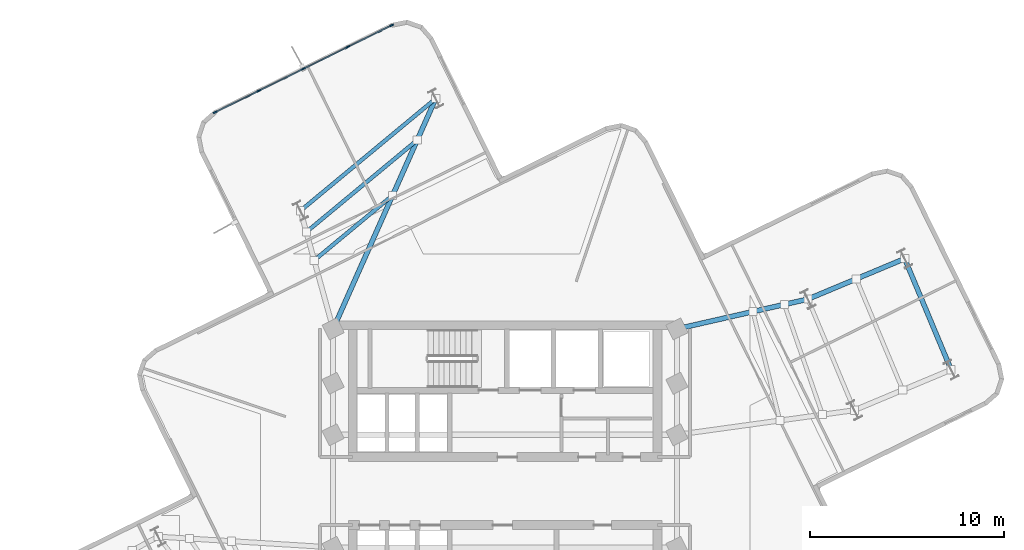
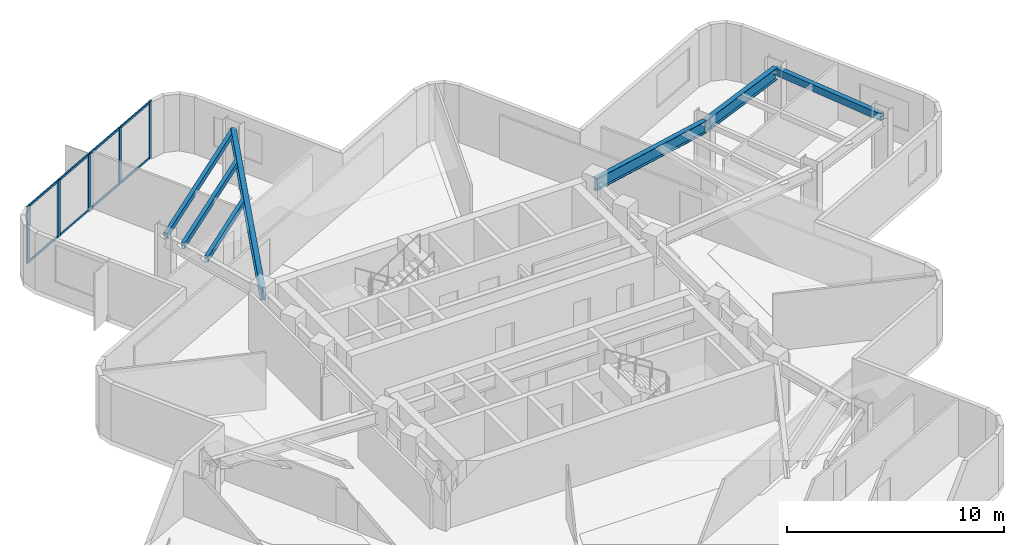
# One storey, part 4 of 11: 13 members, 7 beams, 1 element without a shape of its own.
"""IFC4 building model written with IfcOpenShell, lengths in metres."""

from ifc_helpers import new_model, si_unit, direction, frame, origin, origin_2d, place, context, subcontext, project, spatial, rectangle, hollow_rectangle, i_section, extrude, material, layer, layer_set, material_profile, profile_set, type_object, element, aggregate, save


model = new_model("IFC4")

# Units and contexts
model_context = context("Model", 3, precision=1e-05, world=origin(), true_north=direction((0.0, 1.0)))
body_context = subcontext(model_context, "Body", "Model", "MODEL_VIEW")
ifc_project = project(units=[si_unit("LENGTHUNIT", "METRE"), si_unit("AREAUNIT", "SQUARE_METRE"), si_unit("VOLUMEUNIT", "CUBIC_METRE"), si_unit("PLANEANGLEUNIT", "RADIAN"), si_unit("MASSUNIT", "GRAM", prefix="KILO")], contexts=[model_context])

# Site, building, storey
site_placement = place(None, origin())
site = spatial("IfcSite", under=ifc_project, at=site_placement, CompositionType="ELEMENT")
building_placement = place(site_placement, origin())
building = spatial("IfcBuilding", under=site, at=building_placement, Name="Solmarez Civic Tower", CompositionType="ELEMENT")
storey_placement = place(building_placement, frame((0.0, 0.0, 192.60009765625)))
storey = spatial("IfcBuildingStorey", under=building, at=storey_placement, Name="L51", CompositionType="ELEMENT", Elevation=192.60009765625)

# Beams
ifc_material_1 = material(Name="Steel S355", Category="steel")
ifc_material_profile_1 = material_profile(ifc_material_1, hollow_rectangle(XDim=0.199951171875, YDim=0.300048828125, WallThickness=0.011962890625, at=origin_2d()), Name="HSS300X200X12")
ifc_profile_set_1 = profile_set([ifc_material_profile_1], Name="Steel S355")
beam_type_1 = type_object("IfcBeamType", Name="BM-JS-HSS300X200", PredefinedType="JOIST", material=ifc_profile_set_1)
beam_1_placement = place(storey_placement, frame((-3.570068359375, 20.20703125, 3.0498046875), z_axis=(-0.769767664309, -0.638324167633, 0.0), x_axis=(0.638324167633, -0.769767664309, 0.0)))
element("IfcBeam", 1, at=beam_1_placement, inside=storey, type_object=beam_type_1, Name="L51 Secondary Floor Joist BM-L51-NA-T1", PredefinedType="JOIST", context=body_context, shape_type="SweptSolid", body=[
    extrude(hollow_rectangle(XDim=0.199951171875, YDim=0.300048828125, WallThickness=0.011962890625, at=origin_2d()), origin(), (0.0, 0.0, 1.0), 9.04541015625),
])
beam_2_placement = place(storey_placement, frame((-5.7880859375, 15.22705078125, 3.0498046875), z_axis=(-0.76969549019, -0.63841119381, 0.0), x_axis=(0.63841119381, -0.76969549019, 0.0)))
element("IfcBeam", 2, at=beam_2_placement, inside=storey, type_object=beam_type_1, Name="L51 Secondary Floor Joist JS-L51-NA-M11", PredefinedType="JOIST", context=body_context, shape_type="SweptSolid", body=[
    extrude(hollow_rectangle(XDim=0.199951171875, YDim=0.300048828125, WallThickness=0.011962890625, at=origin_2d()), origin(), (0.0, 0.0, 1.0), 5.24609375),
])
beam_3_placement = place(storey_placement, frame((-4.52001953125, 18.072998046875, 3.0498046875), z_axis=(-0.769756777075, -0.638337296535, 0.0), x_axis=(0.638337296535, -0.769756777075, 0.0)))
element("IfcBeam", 3, at=beam_3_placement, inside=storey, type_object=beam_type_1, Name="L51 Secondary Floor Joist JS-L51-NA-M12", PredefinedType="JOIST", context=body_context, shape_type="SweptSolid", body=[
    extrude(hollow_rectangle(XDim=0.199951171875, YDim=0.300048828125, WallThickness=0.011962890625, at=origin_2d()), origin(), (0.0, 0.0, 1.0), 7.41796875),
])
ifc_material_profile_2 = material_profile(ifc_material_1, i_section(OverallWidth=0.25390625, OverallDepth=0.68798828125, WebThickness=0.01318359375, FlangeThickness=0.02099609375, at=origin_2d()), Name="W27X102")
ifc_profile_set_2 = profile_set([ifc_material_profile_2], Name="Steel S355")
beam_type_2 = type_object("IfcBeamType", Name="BM-PR-W27X102", PredefinedType="BEAM", material=ifc_profile_set_2)
beam_4_placement = place(storey_placement, frame((8.85009765625, 8.35009765625, 2.85595703125), z_axis=(0.975124879448, 0.221656196577, 0.0), x_axis=(-0.221656196577, 0.975124879448, 0.0)))
element("IfcBeam", 4, at=beam_4_placement, inside=storey, type_object=beam_type_2, Name="L51 Primary Floor Beam BM-L51-EA-R1B", PredefinedType="BEAM", context=body_context, shape_type="SweptSolid", body=[
    extrude(i_section(OverallWidth=0.25390625, OverallDepth=0.68798828125, WebThickness=0.01318359375, FlangeThickness=0.02099609375, at=origin_2d()), origin(), (0.0, 0.0, 1.0), 6.916015625),
])
beam_5_placement = place(storey_placement, frame((15.593994140625, 9.883056640625, 2.85595703125), z_axis=(0.922538326171, 0.385905476438, 0.0), x_axis=(-0.385905476438, 0.922538326171, 0.0)))
element("IfcBeam", 5, at=beam_5_placement, inside=storey, type_object=beam_type_2, Name="L51 Primary Floor Beam BM-L51-EA-R2B", PredefinedType="BEAM", context=body_context, shape_type="SweptSolid", body=[
    extrude(i_section(OverallWidth=0.25390625, OverallDepth=0.68798828125, WebThickness=0.01318359375, FlangeThickness=0.02099609375, at=origin_2d()), origin(), (0.0, 0.0, 1.0), 5.400146484375),
])
beam_6_placement = place(storey_placement, frame((-8.85009765625, 8.35009765625, 2.85595703125), z_axis=(0.406799805731, 0.9135173332, 0.0), x_axis=(-0.9135173332, 0.406799805731, 0.0)))
element("IfcBeam", 6, at=beam_6_placement, inside=storey, type_object=beam_type_2, Name="L51 Primary Floor Beam BM-L51-NA-R1A", PredefinedType="BEAM", context=body_context, shape_type="SweptSolid", body=[
    extrude(i_section(OverallWidth=0.25390625, OverallDepth=0.68798828125, WebThickness=0.01318359375, FlangeThickness=0.02099609375, at=origin_2d()), origin(), (0.0, 0.0, 1.0), 12.9794921875),
])
ifc_material_profile_3 = material_profile(ifc_material_1, hollow_rectangle(XDim=0.25, YDim=0.39990234375, WallThickness=0.01611328125, at=origin_2d()), Name="HSS400X250X16")
ifc_profile_set_3 = profile_set([ifc_material_profile_3], Name="Steel S355")
beam_type_3 = type_object("IfcBeamType", Name="BM-SP-HSS400X250", PredefinedType="SPANDREL", material=ifc_profile_set_3)
beam_7_placement = place(storey_placement, frame((22.968017578125, 6.248046875, 3.0), z_axis=(-0.385876218946, 0.922550564279, 0.0), x_axis=(-0.922550564279, -0.385876218946, 0.0)))
element("IfcBeam", 7, at=beam_7_placement, inside=storey, type_object=beam_type_3, Name="L51 Perimeter Spandrel Beam BM-L51-EA-T2", PredefinedType="SPANDREL", context=body_context, shape_type="SweptSolid", body=[
    extrude(hollow_rectangle(XDim=0.25, YDim=0.39990234375, WallThickness=0.01611328125, at=origin_2d()), origin(), (0.0, 0.0, 1.0), 6.19921875),
])

# Curtain wall, members
ifc_material_2 = material(Name="Bronze Anodised Aluminium EN AW-6063 T6", Category="aluminium")
ifc_layer = layer(ifc_material_2, 0.2099609375)
ifc_layer_set = layer_set([ifc_layer], Name="Bronze Anodised Aluminium EN AW-6063 T6")
curtain_wall_type = type_object("IfcCurtainWallType", Name="CW-SYS-5", PredefinedType="NOTDEFINED", material=ifc_layer_set)
curtain_wall_placement = place(storey_placement, origin())
curtain_wall = element("IfcCurtainWall", 8, at=curtain_wall_placement, inside=storey, type_object=curtain_wall_type, Name="L51 Stick-Built Curtain Wall 2", PredefinedType="NOTDEFINED")
ifc_material_profile_4 = material_profile(ifc_material_2, rectangle(XDim=0.074951171875, YDim=0.199951171875, at=origin_2d()), Name="CWM-75X200")
ifc_profile_set_4 = profile_set([ifc_material_profile_4], Name="Bronze Anodised Aluminium EN AW-6063 T6")
member_type_1 = type_object("IfcMemberType", Name="CWM-TYPE-1", PredefinedType="MULLION", material=ifc_profile_set_4)
member_1_placement = place(storey_placement, frame((-14.931396484375, 19.49755859375, 0.0), z_axis=(0.0, 0.0, 1.0), x_axis=(-0.442157712652, 0.896937320632, 0.0)))
member_1 = element("IfcMember", 9, at=member_1_placement, type_object=member_type_1, Name="CWS5 mullion 1", PredefinedType="MULLION", context=body_context, shape_type="SweptSolid", body=[
    extrude(rectangle(XDim=0.074951171875, YDim=0.199951171875, at=origin_2d()), origin(), (0.0, 0.0, 1.0), 3.199951171875),
])
member_2_placement = place(storey_placement, frame((-12.67333984375, 20.61083984375, 0.0), z_axis=(0.0, 0.0, 1.0), x_axis=(-0.442157712652, 0.896937320632, 0.0)))
member_2 = element("IfcMember", 10, at=member_2_placement, type_object=member_type_1, Name="CWS5 mullion 2", PredefinedType="MULLION", context=body_context, shape_type="SweptSolid", body=[
    extrude(rectangle(XDim=0.074951171875, YDim=0.199951171875, at=origin_2d()), origin(), (0.0, 0.0, 1.0), 3.199951171875),
])
member_3_placement = place(storey_placement, frame((-10.381591796875, 21.740478515625, 0.0), z_axis=(0.0, 0.0, 1.0), x_axis=(-0.442157712652, 0.896937320632, 0.0)))
member_3 = element("IfcMember", 11, at=member_3_placement, type_object=member_type_1, Name="CWS5 mullion 3", PredefinedType="MULLION", context=body_context, shape_type="SweptSolid", body=[
    extrude(rectangle(XDim=0.074951171875, YDim=0.199951171875, at=origin_2d()), origin(), (0.0, 0.0, 1.0), 3.199951171875),
])
member_4_placement = place(storey_placement, frame((-8.08984375, 22.870361328125, 0.0), z_axis=(0.0, 0.0, 1.0), x_axis=(-0.442157712652, 0.896937320632, 0.0)))
member_4 = element("IfcMember", 12, at=member_4_placement, type_object=member_type_1, Name="CWS5 mullion 4", PredefinedType="MULLION", context=body_context, shape_type="SweptSolid", body=[
    extrude(rectangle(XDim=0.074951171875, YDim=0.199951171875, at=origin_2d()), origin(), (0.0, 0.0, 1.0), 3.199951171875),
])
member_5_placement = place(storey_placement, frame((-5.83154296875, 23.9833984375, 0.0), z_axis=(0.0, 0.0, 1.0), x_axis=(-0.442157712652, 0.896937320632, 0.0)))
member_5 = element("IfcMember", 13, at=member_5_placement, type_object=member_type_1, Name="CWS5 mullion 5", PredefinedType="MULLION", context=body_context, shape_type="SweptSolid", body=[
    extrude(rectangle(XDim=0.074951171875, YDim=0.199951171875, at=origin_2d()), origin(), (0.0, 0.0, 1.0), 3.199951171875),
])
ifc_material_profile_5 = material_profile(ifc_material_2, rectangle(XDim=0.06494140625, YDim=0.125, at=origin_2d()), Name="CWT-65X125")
ifc_profile_set_5 = profile_set([ifc_material_profile_5], Name="Bronze Anodised Aluminium EN AW-6063 T6")
member_type_2 = type_object("IfcMemberType", Name="CWT-TYPE-2", PredefinedType="USERDEFINED", material=ifc_profile_set_5)
member_6_placement = place(storey_placement, frame((-14.897705078125, 19.51416015625, 0.032470703125), z_axis=(0.896931690713, 0.442169133019, 0.0), x_axis=(-0.442169133019, 0.896931690713, 0.0)))
member_6 = element("IfcMember", 14, at=member_6_placement, type_object=member_type_2, Name="CWS5 transom 1.1", ObjectType="TRANSOM", PredefinedType="USERDEFINED", context=body_context, shape_type="SweptSolid", body=[
    extrude(rectangle(XDim=0.06494140625, YDim=0.125, at=origin_2d()), origin(), (0.0, 0.0, 1.0), 2.442626953125),
])
member_7_placement = place(storey_placement, frame((-14.897705078125, 19.51416015625, 3.16748046875), z_axis=(0.896931690713, 0.442169133019, 0.0), x_axis=(-0.442169133019, 0.896931690713, 0.0)))
member_7 = element("IfcMember", 15, at=member_7_placement, type_object=member_type_2, Name="CWS5 transom 1.2", ObjectType="TRANSOM", PredefinedType="USERDEFINED", context=body_context, shape_type="SweptSolid", body=[
    extrude(rectangle(XDim=0.06494140625, YDim=0.125, at=origin_2d()), origin(), (0.0, 0.0, 1.0), 2.442626953125),
])
member_8_placement = place(storey_placement, frame((-12.6396484375, 20.62744140625, 0.032470703125), z_axis=(0.896971945382, 0.442087467813, 0.0), x_axis=(-0.442087467813, 0.896971945382, 0.0)))
member_8 = element("IfcMember", 16, at=member_8_placement, type_object=member_type_2, Name="CWS5 transom 2.1", ObjectType="TRANSOM", PredefinedType="USERDEFINED", context=body_context, shape_type="SweptSolid", body=[
    extrude(rectangle(XDim=0.06494140625, YDim=0.125, at=origin_2d()), origin(), (0.0, 0.0, 1.0), 2.480224609375),
])
member_9_placement = place(storey_placement, frame((-12.6396484375, 20.62744140625, 3.16748046875), z_axis=(0.896971945382, 0.442087467813, 0.0), x_axis=(-0.442087467813, 0.896971945382, 0.0)))
member_9 = element("IfcMember", 17, at=member_9_placement, type_object=member_type_2, Name="CWS5 transom 2.2", ObjectType="TRANSOM", PredefinedType="USERDEFINED", context=body_context, shape_type="SweptSolid", body=[
    extrude(rectangle(XDim=0.06494140625, YDim=0.125, at=origin_2d()), origin(), (0.0, 0.0, 1.0), 2.480224609375),
])
member_10_placement = place(storey_placement, frame((-10.347900390625, 21.757080078125, 0.032470703125), z_axis=(0.896932908762, 0.442166662221, 0.0), x_axis=(-0.442166662221, 0.896932908762, 0.0)))
member_10 = element("IfcMember", 18, at=member_10_placement, type_object=member_type_2, Name="CWS5 transom 3.1", ObjectType="TRANSOM", PredefinedType="USERDEFINED", context=body_context, shape_type="SweptSolid", body=[
    extrude(rectangle(XDim=0.06494140625, YDim=0.125, at=origin_2d()), origin(), (0.0, 0.0, 1.0), 2.480224609375),
])
member_11_placement = place(storey_placement, frame((-10.347900390625, 21.757080078125, 3.16748046875), z_axis=(0.896932908762, 0.442166662221, 0.0), x_axis=(-0.442166662221, 0.896932908762, 0.0)))
member_11 = element("IfcMember", 19, at=member_11_placement, type_object=member_type_2, Name="CWS5 transom 3.2", ObjectType="TRANSOM", PredefinedType="USERDEFINED", context=body_context, shape_type="SweptSolid", body=[
    extrude(rectangle(XDim=0.06494140625, YDim=0.125, at=origin_2d()), origin(), (0.0, 0.0, 1.0), 2.480224609375),
])
member_12_placement = place(storey_placement, frame((-8.05615234375, 22.88671875, 0.032470703125), z_axis=(0.896931690713, 0.442169133019, 0.0), x_axis=(-0.442169133019, 0.896931690713, 0.0)))
member_12 = element("IfcMember", 20, at=member_12_placement, type_object=member_type_2, Name="CWS5 transom 4.1", ObjectType="TRANSOM", PredefinedType="USERDEFINED", context=body_context, shape_type="SweptSolid", body=[
    extrude(rectangle(XDim=0.06494140625, YDim=0.125, at=origin_2d()), origin(), (0.0, 0.0, 1.0), 2.442626953125),
])
member_13_placement = place(storey_placement, frame((-8.05615234375, 22.88671875, 3.16748046875), z_axis=(0.896931690713, 0.442169133019, 0.0), x_axis=(-0.442169133019, 0.896931690713, 0.0)))
member_13 = element("IfcMember", 21, at=member_13_placement, type_object=member_type_2, Name="CWS5 transom 4.2", ObjectType="TRANSOM", PredefinedType="USERDEFINED", context=body_context, shape_type="SweptSolid", body=[
    extrude(rectangle(XDim=0.06494140625, YDim=0.125, at=origin_2d()), origin(), (0.0, 0.0, 1.0), 2.442626953125),
])
aggregate(curtain_wall, [member_1, member_2, member_3, member_4, member_5, member_6, member_7, member_8, member_9, member_10, member_11, member_12, member_13])

save(model, "model.ifc")
